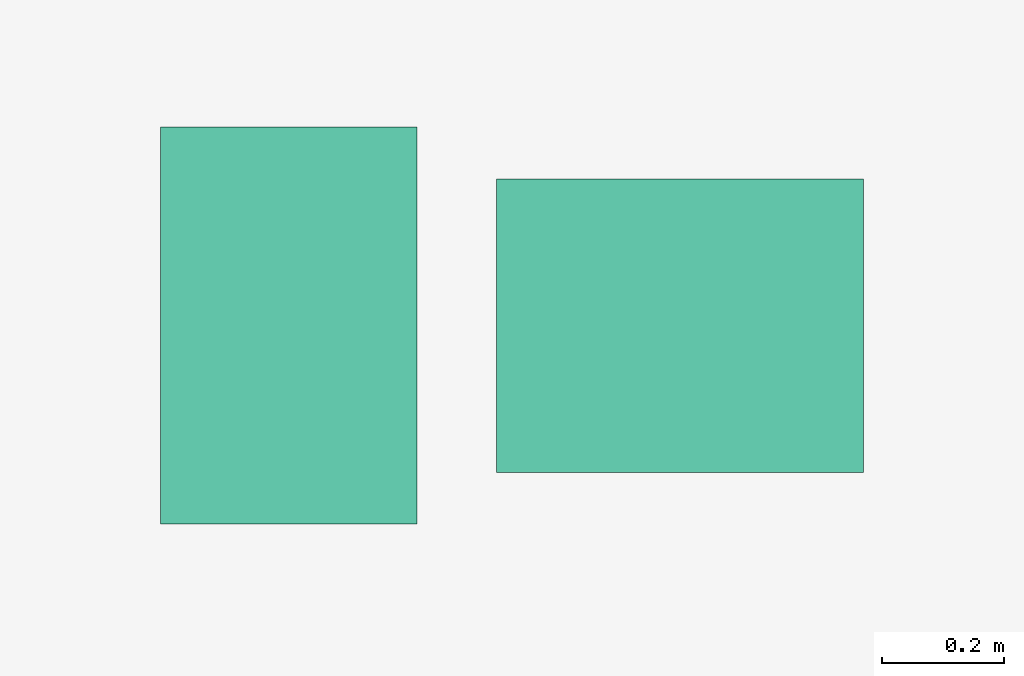
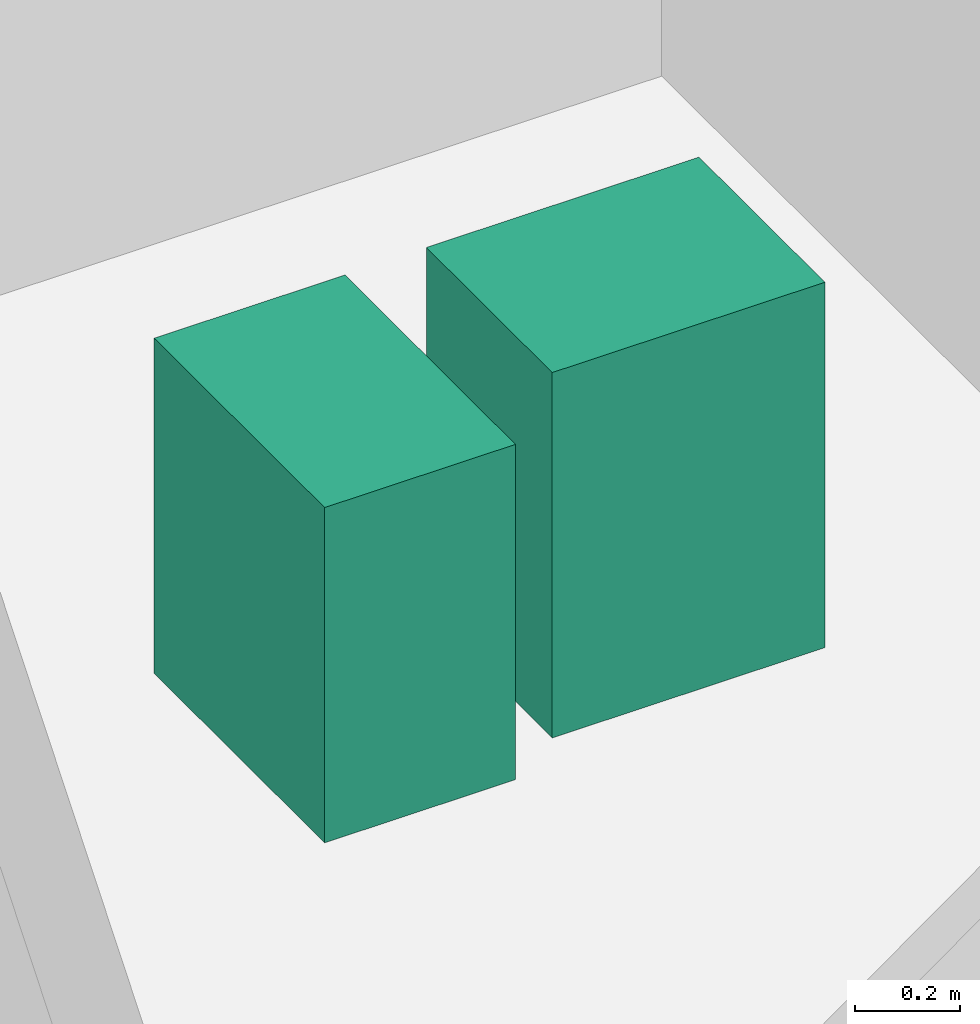
# One storey, part 10 of 10: 2 sanitary terminals.
"""IFC4 building model written with IfcOpenShell, lengths in metres."""

import ifcopenshell
import ifcopenshell.guid

model = None  # the IFC model being written
_history = None  # IfcOwnerHistory: only IFC2X3 demands one
_inside = {}  # id of a spatial element -> (the spatial element, [elements in it])
_under = {}  # id of a project, library or spatial element -> (it, [spatial elements below it])
_declared = {}  # id of a project -> (the project, [libraries it declares])
_typed = {}  # id of a type object -> (the type object, [elements of that type])
_made_of = {}  # id of a material, layer set ... -> (it, [elements and type objects made of it])


def new_model(schema):
    """Start an empty IFC model of exactly this schema.

    Asked for "IFC4X3", IfcOpenShell would pick the latest addendum, in which some entities
    have other attributes; the version numbers below select the first issue.
    IFC2X3 requires an IfcOwnerHistory on every rooted entity: one is made here for all.
    """
    global model, _history
    if schema == "IFC4X3":
        model = ifcopenshell.file(schema_version=(4, 3, 0, 0))
    else:
        model = ifcopenshell.file(schema=schema)
    _inside.clear()
    _under.clear()
    _declared.clear()
    _typed.clear()
    _made_of.clear()
    _history = None
    if model.schema == "IFC2X3":
        org = make("IfcOrganization", Name="unknown")
        user = make(
            "IfcPersonAndOrganization",
            ThePerson=make("IfcPerson", FamilyName="unknown"),
            TheOrganization=org,
        )
        app = make(
            "IfcApplication",
            ApplicationDeveloper=org,
            Version="unknown",
            ApplicationFullName="unknown",
            ApplicationIdentifier="unknown",
        )
        _history = make(
            "IfcOwnerHistory",
            OwningUser=user,
            OwningApplication=app,
            ChangeAction="ADDED",
            CreationDate=0,
        )
    return model


def make(cls, **values):
    """One entity of the class cls with the attributes given. An attribute that is None is left unset."""
    return model.create_entity(
        cls, **{name: value for name, value in values.items() if value is not None}
    )


def rooted(cls, **values):
    """An entity with a GlobalId (a new one), such as an element, a storey or a relation."""
    return make(cls, GlobalId=ifcopenshell.guid.new(), OwnerHistory=_history, **values)


def si_unit(unit_type, name, prefix=None):
    """IfcSIUnit, for example si_unit("LENGTHUNIT", "METRE", prefix="MILLI")."""
    return make("IfcSIUnit", UnitType=unit_type, Prefix=prefix, Name=name)


def assignment(units):
    """IfcUnitAssignment: the units of a project."""
    return None if units is None else make("IfcUnitAssignment", Units=units)


def point(xyz):
    """IfcCartesianPoint."""
    return None if xyz is None else make("IfcCartesianPoint", Coordinates=xyz)


def direction(xyz):
    """IfcDirection."""
    return None if xyz is None else make("IfcDirection", DirectionRatios=xyz)


def frame(location, z_axis=None, x_axis=None):
    """IfcAxis2Placement3D, a coordinate frame: its origin and axes. An axis left out is left unset."""
    return make(
        "IfcAxis2Placement3D",
        Location=point(location),
        Axis=direction(z_axis),
        RefDirection=direction(x_axis),
    )


def frame_2d(location, x_axis=None):
    """IfcAxis2Placement2D, a coordinate frame in the plane: its origin and x axis."""
    return make(
        "IfcAxis2Placement2D", Location=point(location), RefDirection=direction(x_axis)
    )


def origin():
    """The frame at (0, 0, 0) with its axes left unset."""
    return frame((0.0, 0.0, 0.0))


def origin_2d():
    """The frame at (0, 0) in the plane with its x axis left unset."""
    return frame_2d((0.0, 0.0))


def place(relative_to, where):
    """IfcLocalPlacement: puts the frame where relative to a parent placement (None: the world)."""
    return make(
        "IfcLocalPlacement", PlacementRelTo=relative_to, RelativePlacement=where
    )


def context(
    kind, dimensions, precision=None, world=None, true_north=None, identifier=None
):
    """IfcGeometricRepresentationContext, for example the 3D "Model" context."""
    return make(
        "IfcGeometricRepresentationContext",
        ContextIdentifier=identifier,
        ContextType=kind,
        CoordinateSpaceDimension=dimensions,
        Precision=precision,
        WorldCoordinateSystem=world,
        TrueNorth=true_north,
    )


def subcontext(parent, identifier, kind, view, scale=None):
    """IfcGeometricRepresentationSubContext, for example "Body" below "Model"."""
    return make(
        "IfcGeometricRepresentationSubContext",
        ContextIdentifier=identifier,
        ContextType=kind,
        ParentContext=parent,
        TargetScale=scale,
        TargetView=view,
    )


def project(units=None, contexts=None):
    """IfcProject with its units and contexts."""
    return rooted(
        "IfcProject",
        Name="project",
        RepresentationContexts=contexts,
        UnitsInContext=assignment(units),
    )


def spatial(cls, under=None, at=None, **own):
    """A site, building, storey or space (cls), placed at a placement, below another one or the project."""
    s = rooted(cls, ObjectPlacement=at, **own)
    if under is not None:
        _under.setdefault(under.id(), (under, []))[1].append(s)
    return s


def profile(cls, at=None, kind="AREA", **sizes):
    """A parametric profile (cls). Its sizes go by their IFC names, for example OverallWidth=200.0."""
    return make(cls, ProfileType=kind, Position=at, **sizes)


def rectangle(**sizes):
    """IfcRectangleProfileDef."""
    return profile("IfcRectangleProfileDef", **sizes)


def extrude(swept, where, along, depth):
    """IfcExtrudedAreaSolid: the profile swept, set in the frame where, extruded along a direction by depth."""
    return make(
        "IfcExtrudedAreaSolid",
        SweptArea=swept,
        Position=where,
        ExtrudedDirection=direction(along),
        Depth=depth,
    )


def shape(context_of_items, identifier, shape_type, items):
    """IfcShapeRepresentation: the items that make up one representation, for example the "Body"."""
    return make(
        "IfcShapeRepresentation",
        ContextOfItems=context_of_items,
        RepresentationIdentifier=identifier,
        RepresentationType=shape_type,
        Items=items,
    )


def material(Name=None, Category=None):
    """IfcMaterial."""
    return make("IfcMaterial", Name=Name, Category=Category)


def made_of(thing, what):
    """Note that an element or type object is made of a material, layer set ...; save() writes the relation."""
    if what is not None:
        _made_of.setdefault(what.id(), (what, []))[1].append(thing)
    return thing


def type_object(cls, material=None, **own):
    """A type object (cls), such as IfcWallType, which elements share."""
    return made_of(rooted(cls, **own), material)


def element(
    cls,
    number,
    at=None,
    inside=None,
    cuts=None,
    type_object=None,
    material=None,
    context=None,
    identifier="Body",
    shape_type=None,
    held_by="IfcProductDefinitionShape",
    body=None,
    shapes=None,
    **own,
):
    """One element of the class cls, such as IfcWall. Its Tag is "e" and its number.

    at: its placement. inside: the storey or other place that contains it. cuts: it is an
    opening in that element (IfcRelVoidsElement). A single representation is given by context,
    identifier, shape_type and body (its items); several are given by shapes. held_by: the class
    of the entity that holds the representations. save() writes the other relations.
    """
    e = rooted(cls, Tag="e%d" % number, ObjectPlacement=at, **own)
    if body is not None:
        shapes = [shape(context, identifier, shape_type, body)]
    if shapes is not None:
        e.Representation = make(held_by, Representations=shapes)
    if inside is not None:
        _inside.setdefault(inside.id(), (inside, []))[1].append(e)
    if cuts is not None:
        rooted(
            "IfcRelVoidsElement", RelatingBuildingElement=cuts, RelatedOpeningElement=e
        )
    if type_object is not None:
        _typed.setdefault(type_object.id(), (type_object, []))[1].append(e)
    return made_of(e, material)


def aggregate(whole, parts):
    """IfcRelAggregates: a whole, such as a stair, and the parts it consists of."""
    return rooted("IfcRelAggregates", RelatingObject=whole, RelatedObjects=parts)


def save(model, path):
    """Write the relations noted so far, then the file.

    IfcRelAggregates (storeys below a building ...), IfcRelContainedInSpatialStructure (elements
    in a storey), IfcRelDefinesByType, IfcRelAssociatesMaterial and IfcRelDeclares: one each for
    every whole, place, type object, material and project.
    """
    for whole, parts in _under.values():
        aggregate(whole, parts)
    for where, things in _inside.values():
        rooted(
            "IfcRelContainedInSpatialStructure",
            RelatedElements=things,
            RelatingStructure=where,
        )
    for kind, things in _typed.values():
        rooted("IfcRelDefinesByType", RelatedObjects=things, RelatingType=kind)
    for what, things in _made_of.values():
        rooted("IfcRelAssociatesMaterial", RelatedObjects=things, RelatingMaterial=what)
    for by, libraries in _declared.values():
        rooted("IfcRelDeclares", RelatingContext=by, RelatedDefinitions=libraries)
    model.write(path)


model = new_model("IFC4")

# Units and contexts
model_context = context("Model", 3, precision=1e-05, world=origin(), true_north=direction((0.0, 1.0)))
body_context = subcontext(model_context, "Body", "Model", "MODEL_VIEW")
ifc_project = project(units=[si_unit("LENGTHUNIT", "METRE"), si_unit("AREAUNIT", "SQUARE_METRE"), si_unit("VOLUMEUNIT", "CUBIC_METRE"), si_unit("PLANEANGLEUNIT", "RADIAN"), si_unit("MASSUNIT", "GRAM", prefix="KILO")], contexts=[model_context])

# Site, building, storey
site_placement = place(None, origin())
site = spatial("IfcSite", under=ifc_project, at=site_placement, CompositionType="ELEMENT")
building_placement = place(site_placement, origin())
building = spatial("IfcBuilding", under=site, at=building_placement, Name="Solmavex Isthmus Hotel", CompositionType="ELEMENT")
storey_placement = place(building_placement, frame((0.0, 0.0, 240.0)))
storey = spatial("IfcBuildingStorey", under=building, at=storey_placement, Name="L65", CompositionType="ELEMENT", Elevation=240.0)

# Sanitary terminals
ifc_material = material(Name="Vitreous china ceramic", Category="ceramic")
sanitary_terminal_type_1 = type_object("IfcSanitaryTerminalType", Name="SAN-BASIN", PredefinedType="WASHHANDBASIN", material=ifc_material)
sanitary_terminal_1_placement = place(storey_placement, frame((3.294921875, -4.360107421875, 0.0), z_axis=(0.0, 0.0, 1.0), x_axis=(1.0, 0.0, 0.0)))
element("IfcSanitaryTerminal", 1, at=sanitary_terminal_1_placement, inside=storey, type_object=sanitary_terminal_type_1, Name="Vanity Washbasin L65-326", PredefinedType="WASHHANDBASIN", context=body_context, shape_type="SweptSolid", body=[
    extrude(rectangle(XDim=0.60009765625, YDim=0.47998046875, at=origin_2d()), origin(), (0.0, 0.0, 1.0), 0.85009765625),
])
sanitary_terminal_type_2 = type_object("IfcSanitaryTerminalType", Name="SAN-WC-SUITE", PredefinedType="TOILETPAN", material=ifc_material)
sanitary_terminal_2_placement = place(storey_placement, frame((2.655029296875, -4.360107421875, 0.0), z_axis=(0.0, 0.0, 1.0), x_axis=(1.0, 0.0, 0.0)))
element("IfcSanitaryTerminal", 2, at=sanitary_terminal_2_placement, inside=storey, type_object=sanitary_terminal_type_2, Name="Water Closet L65-326", PredefinedType="TOILETPAN", context=body_context, shape_type="SweptSolid", body=[
    extrude(rectangle(XDim=0.419921875, YDim=0.64990234375, at=origin_2d()), origin(), (0.0, 0.0, 1.0), 0.780029296875),
])

save(model, "model.ifc")
